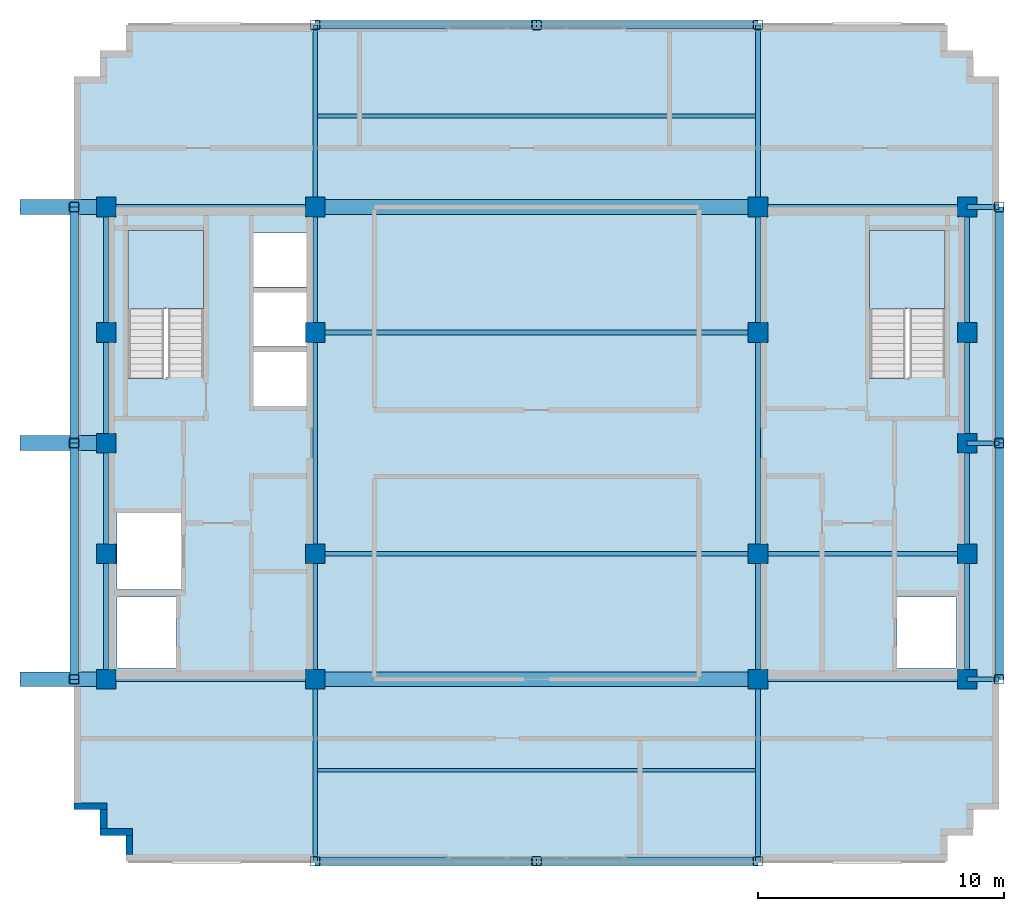
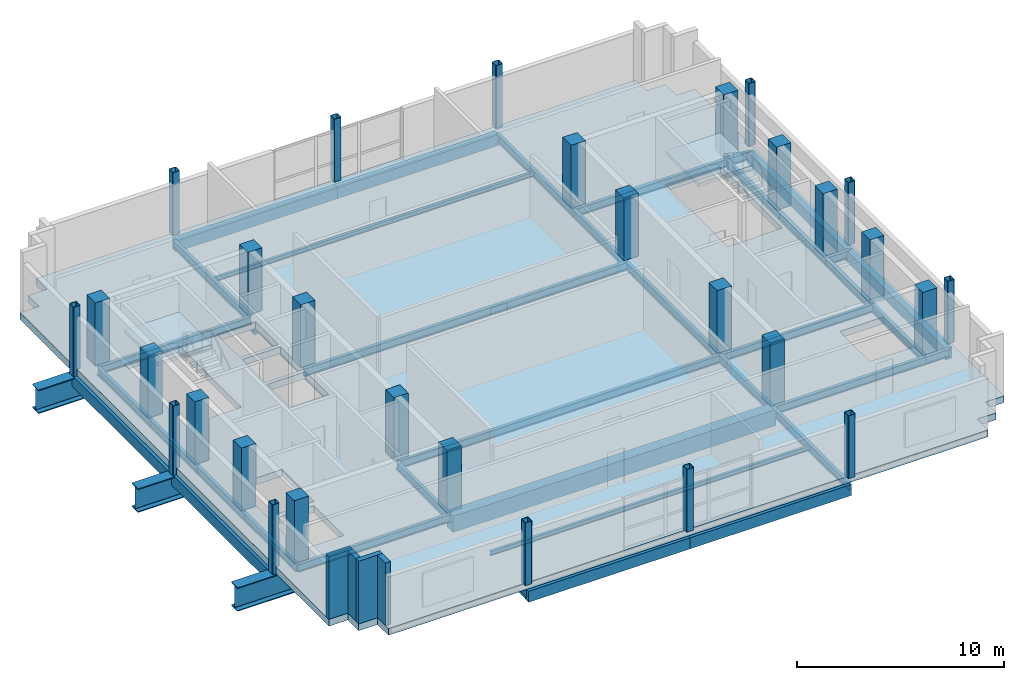
# One storey, part 1 of 9: 43 beams, 30 columns, 4 walls, 3 slabs, 2 elements without a shape of their own.
"""IFC4 building model written with IfcOpenShell, lengths in metres."""

from ifc_helpers import new_model, si_unit, direction, frame, frame_2d, origin, origin_2d, place, context, subcontext, project, spatial, polyline, rectangle, hollow_rectangle, i_section, outline, extrude, material, layer, layer_set, material_profile, profile_set, type_object, element, aggregate, save


model = new_model("IFC4")

# Units and contexts
model_context = context("Model", 3, precision=1e-05, world=origin(), true_north=direction((0.0, 1.0)))
body_context = subcontext(model_context, "Body", "Model", "MODEL_VIEW")
ifc_project = project(units=[si_unit("LENGTHUNIT", "METRE"), si_unit("AREAUNIT", "SQUARE_METRE"), si_unit("VOLUMEUNIT", "CUBIC_METRE"), si_unit("PLANEANGLEUNIT", "RADIAN"), si_unit("MASSUNIT", "GRAM", prefix="KILO")], contexts=[model_context])

# Site, building, storey
site_placement = place(None, origin())
site = spatial("IfcSite", under=ifc_project, at=site_placement, CompositionType="ELEMENT")
building_placement = place(site_placement, origin())
building = spatial("IfcBuilding", under=site, at=building_placement, Name="Nuvemarco Arch Tower", CompositionType="ELEMENT")
storey_placement = place(building_placement, frame((0.0, 0.0, 287.14990234375)))
storey = spatial("IfcBuildingStorey", under=building, at=storey_placement, Name="L76", CompositionType="ELEMENT", Elevation=287.14990234375)

# Columns
ifc_material_1 = material(Name="Concrete C50/60", Category="concrete")
ifc_material_profile_1 = material_profile(ifc_material_1, rectangle(XDim=0.800048828125, YDim=0.800048828125, at=origin_2d()), Name="RC-COL-800x800")
ifc_profile_set_1 = profile_set([ifc_material_profile_1], Name="Concrete C50/60")
column_type_1 = type_object("IfcColumnType", Name="COL-CORE-800", PredefinedType="COLUMN", material=ifc_profile_set_1)
for number, where, z_axis, x_axis, name in (
    (1, (-17.5, -9.60009765625, 0.0), (0.0, 0.0, 1.0), (1.0, 0.0, 0.0), "L76 column CC_-17.5_-9.6"),
    (2, (-17.5, -4.5, 0.0), (0.0, 0.0, 1.0), (1.0, 0.0, 0.0), "L76 column CC_-17.5_-4.5"),
    (3, (-17.5, 4.5, 0.0), (0.0, 0.0, 1.0), (1.0, 0.0, 0.0), "L76 column CC_-17.5_+4.5"),
    (4, (-17.5, 9.60009765625, 0.0), (0.0, 0.0, 1.0), (1.0, 0.0, 0.0), "L76 column CC_-17.5_+9.6"),
    (5, (-9.0, -9.60009765625, 0.0), (0.0, 0.0, 1.0), (1.0, 0.0, 0.0), "L76 column CC_-9.0_-9.6"),
    (6, (-9.0, -4.5, 0.0), (0.0, 0.0, 1.0), (1.0, 0.0, 0.0), "L76 column CC_-9.0_-4.5"),
    (7, (-9.0, 4.5, 0.0), (0.0, 0.0, 1.0), (1.0, 0.0, 0.0), "L76 column CC_-9.0_+4.5"),
    (8, (-9.0, 9.60009765625, 0.0), (0.0, 0.0, 1.0), (1.0, 0.0, 0.0), "L76 column CC_-9.0_+9.6"),
    (9, (9.0, -9.60009765625, 0.0), (0.0, 0.0, 1.0), (1.0, 0.0, 0.0), "L76 column CC_+9.0_-9.6"),
    (10, (9.0, -4.5, 0.0), (0.0, 0.0, 1.0), (1.0, 0.0, 0.0), "L76 column CC_+9.0_-4.5"),
    (11, (9.0, 4.5, 0.0), (0.0, 0.0, 1.0), (1.0, 0.0, 0.0), "L76 column CC_+9.0_+4.5"),
    (12, (9.0, 9.60009765625, 0.0), (0.0, 0.0, 1.0), (1.0, 0.0, 0.0), "L76 column CC_+9.0_+9.6"),
    (13, (17.5, -9.60009765625, 0.0), (0.0, 0.0, 1.0), (1.0, 0.0, 0.0), "L76 column CC_+17.5_-9.6"),
    (14, (17.5, -4.5, 0.0), (0.0, 0.0, 1.0), (1.0, 0.0, 0.0), "L76 column CC_+17.5_-4.5"),
    (15, (17.5, 4.5, 0.0), (0.0, 0.0, 1.0), (1.0, 0.0, 0.0), "L76 column CC_+17.5_+4.5"),
    (16, (17.5, 9.60009765625, 0.0), (0.0, 0.0, 1.0), (1.0, 0.0, 0.0), "L76 column CC_+17.5_+9.6"),
    (17, (-17.5, 0.0, 0.0), (0.0, 0.0, 1.0), (1.0, 0.0, 0.0), "L76 column CC_-17.5_+0.0"),
    (18, (17.5, 0.0, 0.0), (0.0, 0.0, 1.0), (1.0, 0.0, 0.0), "L76 column CC_+17.5_+0.0"),
):
    element("IfcColumn", number, at=place(storey_placement, frame(where, z_axis=z_axis, x_axis=x_axis)), inside=storey, type_object=column_type_1, Name=name, PredefinedType="COLUMN", context=body_context, shape_type="SweptSolid", body=[
        extrude(rectangle(XDim=0.800048828125, YDim=0.800048828125, at=origin_2d()), origin(), (0.0, 0.0, 1.0), 3.7001953125),
    ])
ifc_material_2 = material(Name="Steel S355", Category="steel")
ifc_material_profile_2 = material_profile(ifc_material_2, hollow_rectangle(XDim=0.39990234375, YDim=0.39990234375, WallThickness=0.02490234375, InnerFilletRadius=0.02490234375, OuterFilletRadius=0.050048828125, at=origin_2d()), Name="SHS400x400x25")
ifc_profile_set_2 = profile_set([ifc_material_profile_2], Name="Steel S355")
column_type_2 = type_object("IfcColumnType", Name="COL-EXO-400", PredefinedType="COLUMN", material=ifc_profile_set_2)
for number, where, z_axis, x_axis, name in (
    (19, (-18.800048828125, -9.60009765625, -0.39990234375), (0.0, 0.0, 1.0), (1.0, 0.0, 0.0), "L76 column CX_-18.8_-9.6"),
    (20, (-18.800048828125, 0.0, -0.39990234375), (0.0, 0.0, 1.0), (1.0, 0.0, 0.0), "L76 column CX_-18.8_+0.0"),
    (21, (-18.800048828125, 9.60009765625, -0.39990234375), (0.0, 0.0, 1.0), (1.0, 0.0, 0.0), "L76 column CX_-18.8_+9.6"),
):
    element("IfcColumn", number, at=place(storey_placement, frame(where, z_axis=z_axis, x_axis=x_axis)), inside=storey, type_object=column_type_2, Name=name, PredefinedType="COLUMN", context=body_context, shape_type="SweptSolid", body=[
        extrude(hollow_rectangle(XDim=0.39990234375, YDim=0.39990234375, WallThickness=0.02490234375, InnerFilletRadius=0.02490234375, OuterFilletRadius=0.050048828125, at=origin_2d()), origin(), (0.0, 0.0, 1.0), 4.10009765625),
    ])
for number, where, z_axis, x_axis, name in (
    (22, (18.800048828125, -9.60009765625, 0.0), (0.0, 0.0, 1.0), (1.0, 0.0, 0.0), "L76 column CX_+18.8_-9.6"),
    (23, (18.800048828125, 0.0, 0.0), (0.0, 0.0, 1.0), (1.0, 0.0, 0.0), "L76 column CX_+18.8_+0.0"),
    (24, (18.800048828125, 9.60009765625, 0.0), (0.0, 0.0, 1.0), (1.0, 0.0, 0.0), "L76 column CX_+18.8_+9.6"),
    (25, (-9.0, -17.0, 0.0), (0.0, 0.0, 1.0), (1.0, 0.0, 0.0), "L76 column CY_-9.0_-17.0"),
    (26, (0.0, -17.0, 0.0), (0.0, 0.0, 1.0), (1.0, 0.0, 0.0), "L76 column CY_+0.0_-17.0"),
    (27, (9.0, -17.0, 0.0), (0.0, 0.0, 1.0), (1.0, 0.0, 0.0), "L76 column CY_+9.0_-17.0"),
    (28, (-9.0, 17.0, 0.0), (0.0, 0.0, 1.0), (1.0, 0.0, 0.0), "L76 column CY_-9.0_+17.0"),
    (29, (0.0, 17.0, 0.0), (0.0, 0.0, 1.0), (1.0, 0.0, 0.0), "L76 column CY_+0.0_+17.0"),
    (30, (9.0, 17.0, 0.0), (0.0, 0.0, 1.0), (1.0, 0.0, 0.0), "L76 column CY_+9.0_+17.0"),
):
    element("IfcColumn", number, at=place(storey_placement, frame(where, z_axis=z_axis, x_axis=x_axis)), inside=storey, type_object=column_type_2, Name=name, PredefinedType="COLUMN", context=body_context, shape_type="SweptSolid", body=[
        extrude(hollow_rectangle(XDim=0.39990234375, YDim=0.39990234375, WallThickness=0.02490234375, InnerFilletRadius=0.02490234375, OuterFilletRadius=0.050048828125, at=origin_2d()), origin(), (0.0, 0.0, 1.0), 3.7001953125),
    ])

# Beams
ifc_material_3 = material(Name="Concrete C60/75", Category="concrete")
ifc_material_profile_3 = material_profile(ifc_material_3, rectangle(XDim=0.60009765625, YDim=0.949951171875, at=origin_2d()), Name="RC-BM-600x950")
ifc_profile_set_3 = profile_set([ifc_material_profile_3], Name="Concrete C60/75")
beam_type_1 = type_object("IfcBeamType", Name="BM-COUP-RC", PredefinedType="LINTEL", material=ifc_profile_set_3)
for number, where, z_axis, x_axis, name in (
    (31, (-9.0, -9.60009765625, -0.875), (1.0, 0.0, 0.0), (0.0, 1.0, 0.0), "L76 structural beam BGEW_L76_0_-9.6_-9.0"),
    (32, (-9.0, 9.60009765625, -0.875), (1.0, 0.0, 0.0), (0.0, 1.0, 0.0), "L76 structural beam BGEW_L76_0_+9.6_-9.0"),
):
    element("IfcBeam", number, at=place(storey_placement, frame(where, z_axis=z_axis, x_axis=x_axis)), inside=storey, type_object=beam_type_1, Name=name, PredefinedType="LINTEL", context=body_context, shape_type="SweptSolid", body=[
        extrude(rectangle(XDim=0.60009765625, YDim=0.949951171875, at=origin_2d()), origin(), (0.0, 0.0, 1.0), 18.0),
    ])
ifc_material_profile_4 = material_profile(ifc_material_2, i_section(OverallWidth=0.19189453125, OverallDepth=0.462890625, WebThickness=0.010498046875, FlangeThickness=0.017578125, FilletRadius=0.014892578125, at=origin_2d()), Name="W460x89")
ifc_profile_set_4 = profile_set([ifc_material_profile_4], Name="Steel S355")
beam_type_2 = type_object("IfcBeamType", Name="BM-GIRD-460", PredefinedType="BEAM", material=ifc_profile_set_4)
beam_1_placement = place(storey_placement, frame((-17.5, -9.60009765625, -0.63134765625), z_axis=(0.0, 1.0, 0.0), x_axis=(-1.0, 0.0, 0.0)))
element("IfcBeam", 33, at=beam_1_placement, inside=storey, type_object=beam_type_2, Name="L76 structural beam BGNS_L76_0_-17.5_-9.6", PredefinedType="BEAM", context=body_context, shape_type="SweptSolid", body=[
    extrude(i_section(OverallWidth=0.19189453125, OverallDepth=0.462890625, WebThickness=0.010498046875, FlangeThickness=0.017578125, FilletRadius=0.014892578125, at=origin_2d()), origin(), (0.0, 0.0, 1.0), 5.10009765625),
])
for number, where, z_axis, x_axis, name in (
    (34, (-17.5, -4.5, -0.63134765625), (0.0, 1.0, 0.0), (-1.0, 0.0, 0.0), "L76 structural beam BGNS_L76_0_-17.5_-4.5"),
    (35, (-17.5, 0.0, -0.63134765625), (0.0, 1.0, 0.0), (-1.0, 0.0, 0.0), "L76 structural beam BGNS_L76_0_-17.5_+0.0"),
):
    element("IfcBeam", number, at=place(storey_placement, frame(where, z_axis=z_axis, x_axis=x_axis)), inside=storey, type_object=beam_type_2, Name=name, PredefinedType="BEAM", context=body_context, shape_type="SweptSolid", body=[
        extrude(i_section(OverallWidth=0.19189453125, OverallDepth=0.462890625, WebThickness=0.010498046875, FlangeThickness=0.017578125, FilletRadius=0.014892578125, at=origin_2d()), origin(), (0.0, 0.0, 1.0), 4.5),
    ])
beam_2_placement = place(storey_placement, frame((-17.5, 4.5, -0.63134765625), z_axis=(0.0, 1.0, 0.0), x_axis=(-1.0, 0.0, 0.0)))
element("IfcBeam", 36, at=beam_2_placement, inside=storey, type_object=beam_type_2, Name="L76 structural beam BGNS_L76_0_-17.5_+4.5", PredefinedType="BEAM", context=body_context, shape_type="SweptSolid", body=[
    extrude(i_section(OverallWidth=0.19189453125, OverallDepth=0.462890625, WebThickness=0.010498046875, FlangeThickness=0.017578125, FilletRadius=0.014892578125, at=origin_2d()), origin(), (0.0, 0.0, 1.0), 5.10009765625),
])
beam_3_placement = place(storey_placement, frame((-9.0, -17.0, -0.63134765625), z_axis=(0.0, 1.0, 0.0), x_axis=(-1.0, 0.0, 0.0)))
element("IfcBeam", 37, at=beam_3_placement, inside=storey, type_object=beam_type_2, Name="L76 structural beam BGNS_L76_0_-9.0_-17.0", PredefinedType="BEAM", context=body_context, shape_type="SweptSolid", body=[
    extrude(i_section(OverallWidth=0.19189453125, OverallDepth=0.462890625, WebThickness=0.010498046875, FlangeThickness=0.017578125, FilletRadius=0.014892578125, at=origin_2d()), origin(), (0.0, 0.0, 1.0), 7.39990234375),
])
beam_4_placement = place(storey_placement, frame((-9.0, -9.60009765625, -0.63134765625), z_axis=(0.0, 1.0, 0.0), x_axis=(-1.0, 0.0, 0.0)))
element("IfcBeam", 38, at=beam_4_placement, inside=storey, type_object=beam_type_2, Name="L76 structural beam BGNS_L76_0_-9.0_-9.6", PredefinedType="BEAM", context=body_context, shape_type="SweptSolid", body=[
    extrude(i_section(OverallWidth=0.19189453125, OverallDepth=0.462890625, WebThickness=0.010498046875, FlangeThickness=0.017578125, FilletRadius=0.014892578125, at=origin_2d()), origin(), (0.0, 0.0, 1.0), 5.10009765625),
])
beam_5_placement = place(storey_placement, frame((-9.0, -4.5, -0.63134765625), z_axis=(0.0, 1.0, 0.0), x_axis=(-1.0, 0.0, 0.0)))
element("IfcBeam", 39, at=beam_5_placement, inside=storey, type_object=beam_type_2, Name="L76 structural beam BGNS_L76_0_-9.0_-4.5", PredefinedType="BEAM", context=body_context, shape_type="SweptSolid", body=[
    extrude(i_section(OverallWidth=0.19189453125, OverallDepth=0.462890625, WebThickness=0.010498046875, FlangeThickness=0.017578125, FilletRadius=0.014892578125, at=origin_2d()), origin(), (0.0, 0.0, 1.0), 9.0),
])
beam_6_placement = place(storey_placement, frame((-9.0, 4.5, -0.63134765625), z_axis=(0.0, 1.0, 0.0), x_axis=(-1.0, 0.0, 0.0)))
element("IfcBeam", 40, at=beam_6_placement, inside=storey, type_object=beam_type_2, Name="L76 structural beam BGNS_L76_0_-9.0_+4.5", PredefinedType="BEAM", context=body_context, shape_type="SweptSolid", body=[
    extrude(i_section(OverallWidth=0.19189453125, OverallDepth=0.462890625, WebThickness=0.010498046875, FlangeThickness=0.017578125, FilletRadius=0.014892578125, at=origin_2d()), origin(), (0.0, 0.0, 1.0), 5.10009765625),
])
for number, where, z_axis, x_axis, name in (
    (41, (-9.0, 9.60009765625, -0.63134765625), (0.0, 1.0, 0.0), (-1.0, 0.0, 0.0), "L76 structural beam BGNS_L76_0_-9.0_+9.6"),
    (42, (9.0, -17.0, -0.63134765625), (0.0, 1.0, 0.0), (-1.0, 0.0, 0.0), "L76 structural beam BGNS_L76_0_+9.0_-17.0"),
):
    element("IfcBeam", number, at=place(storey_placement, frame(where, z_axis=z_axis, x_axis=x_axis)), inside=storey, type_object=beam_type_2, Name=name, PredefinedType="BEAM", context=body_context, shape_type="SweptSolid", body=[
        extrude(i_section(OverallWidth=0.19189453125, OverallDepth=0.462890625, WebThickness=0.010498046875, FlangeThickness=0.017578125, FilletRadius=0.014892578125, at=origin_2d()), origin(), (0.0, 0.0, 1.0), 7.39990234375),
    ])
beam_7_placement = place(storey_placement, frame((9.0, -9.60009765625, -0.63134765625), z_axis=(0.0, 1.0, 0.0), x_axis=(-1.0, 0.0, 0.0)))
element("IfcBeam", 43, at=beam_7_placement, inside=storey, type_object=beam_type_2, Name="L76 structural beam BGNS_L76_0_+9.0_-9.6", PredefinedType="BEAM", context=body_context, shape_type="SweptSolid", body=[
    extrude(i_section(OverallWidth=0.19189453125, OverallDepth=0.462890625, WebThickness=0.010498046875, FlangeThickness=0.017578125, FilletRadius=0.014892578125, at=origin_2d()), origin(), (0.0, 0.0, 1.0), 5.10009765625),
])
beam_8_placement = place(storey_placement, frame((9.0, -4.5, -0.63134765625), z_axis=(0.0, 1.0, 0.0), x_axis=(-1.0, 0.0, 0.0)))
element("IfcBeam", 44, at=beam_8_placement, inside=storey, type_object=beam_type_2, Name="L76 structural beam BGNS_L76_0_+9.0_-4.5", PredefinedType="BEAM", context=body_context, shape_type="SweptSolid", body=[
    extrude(i_section(OverallWidth=0.19189453125, OverallDepth=0.462890625, WebThickness=0.010498046875, FlangeThickness=0.017578125, FilletRadius=0.014892578125, at=origin_2d()), origin(), (0.0, 0.0, 1.0), 9.0),
])
beam_9_placement = place(storey_placement, frame((9.0, 4.5, -0.63134765625), z_axis=(0.0, 1.0, 0.0), x_axis=(-1.0, 0.0, 0.0)))
element("IfcBeam", 45, at=beam_9_placement, inside=storey, type_object=beam_type_2, Name="L76 structural beam BGNS_L76_0_+9.0_+4.5", PredefinedType="BEAM", context=body_context, shape_type="SweptSolid", body=[
    extrude(i_section(OverallWidth=0.19189453125, OverallDepth=0.462890625, WebThickness=0.010498046875, FlangeThickness=0.017578125, FilletRadius=0.014892578125, at=origin_2d()), origin(), (0.0, 0.0, 1.0), 5.10009765625),
])
beam_10_placement = place(storey_placement, frame((9.0, 9.60009765625, -0.63134765625), z_axis=(0.0, 1.0, 0.0), x_axis=(-1.0, 0.0, 0.0)))
element("IfcBeam", 46, at=beam_10_placement, inside=storey, type_object=beam_type_2, Name="L76 structural beam BGNS_L76_0_+9.0_+9.6", PredefinedType="BEAM", context=body_context, shape_type="SweptSolid", body=[
    extrude(i_section(OverallWidth=0.19189453125, OverallDepth=0.462890625, WebThickness=0.010498046875, FlangeThickness=0.017578125, FilletRadius=0.014892578125, at=origin_2d()), origin(), (0.0, 0.0, 1.0), 7.39990234375),
])
beam_11_placement = place(storey_placement, frame((17.5, -9.60009765625, -0.63134765625), z_axis=(0.0, 1.0, 0.0), x_axis=(-1.0, 0.0, 0.0)))
element("IfcBeam", 47, at=beam_11_placement, inside=storey, type_object=beam_type_2, Name="L76 structural beam BGNS_L76_0_+17.5_-9.6", PredefinedType="BEAM", context=body_context, shape_type="SweptSolid", body=[
    extrude(i_section(OverallWidth=0.19189453125, OverallDepth=0.462890625, WebThickness=0.010498046875, FlangeThickness=0.017578125, FilletRadius=0.014892578125, at=origin_2d()), origin(), (0.0, 0.0, 1.0), 5.10009765625),
])
for number, where, z_axis, x_axis, name in (
    (48, (17.5, -4.5, -0.63134765625), (0.0, 1.0, 0.0), (-1.0, 0.0, 0.0), "L76 structural beam BGNS_L76_0_+17.5_-4.5"),
    (49, (17.5, 0.0, -0.63134765625), (0.0, 1.0, 0.0), (-1.0, 0.0, 0.0), "L76 structural beam BGNS_L76_0_+17.5_+0.0"),
):
    element("IfcBeam", number, at=place(storey_placement, frame(where, z_axis=z_axis, x_axis=x_axis)), inside=storey, type_object=beam_type_2, Name=name, PredefinedType="BEAM", context=body_context, shape_type="SweptSolid", body=[
        extrude(i_section(OverallWidth=0.19189453125, OverallDepth=0.462890625, WebThickness=0.010498046875, FlangeThickness=0.017578125, FilletRadius=0.014892578125, at=origin_2d()), origin(), (0.0, 0.0, 1.0), 4.5),
    ])
beam_12_placement = place(storey_placement, frame((17.5, 4.5, -0.63134765625), z_axis=(0.0, 1.0, 0.0), x_axis=(-1.0, 0.0, 0.0)))
element("IfcBeam", 50, at=beam_12_placement, inside=storey, type_object=beam_type_2, Name="L76 structural beam BGNS_L76_0_+17.5_+4.5", PredefinedType="BEAM", context=body_context, shape_type="SweptSolid", body=[
    extrude(i_section(OverallWidth=0.19189453125, OverallDepth=0.462890625, WebThickness=0.010498046875, FlangeThickness=0.017578125, FilletRadius=0.014892578125, at=origin_2d()), origin(), (0.0, 0.0, 1.0), 5.10009765625),
])
for number, where, z_axis, x_axis, name in (
    (51, (-17.5, -9.60009765625, -0.63134765625), (1.0, 0.0, 0.0), (0.0, 1.0, 0.0), "L76 structural beam BGEW_L76_0_-9.6_-17.5"),
    (52, (9.0, -9.60009765625, -0.63134765625), (1.0, 0.0, 0.0), (0.0, 1.0, 0.0), "L76 structural beam BGEW_L76_0_-9.6_+9.0"),
):
    element("IfcBeam", number, at=place(storey_placement, frame(where, z_axis=z_axis, x_axis=x_axis)), inside=storey, type_object=beam_type_2, Name=name, PredefinedType="BEAM", context=body_context, shape_type="SweptSolid", body=[
        extrude(i_section(OverallWidth=0.19189453125, OverallDepth=0.462890625, WebThickness=0.010498046875, FlangeThickness=0.017578125, FilletRadius=0.014892578125, at=origin_2d()), origin(), (0.0, 0.0, 1.0), 8.5),
    ])
beam_13_placement = place(storey_placement, frame((17.5, -9.60009765625, -0.63134765625), z_axis=(1.0, 0.0, 0.0), x_axis=(0.0, 1.0, 0.0)))
element("IfcBeam", 53, at=beam_13_placement, inside=storey, type_object=beam_type_2, Name="L76 structural beam BGEW_L76_0_-9.6_+17.5", PredefinedType="BEAM", context=body_context, shape_type="SweptSolid", body=[
    extrude(i_section(OverallWidth=0.19189453125, OverallDepth=0.462890625, WebThickness=0.010498046875, FlangeThickness=0.017578125, FilletRadius=0.014892578125, at=origin_2d()), origin(), (0.0, 0.0, 1.0), 1.300048828125),
])
beam_14_placement = place(storey_placement, frame((-9.0, -4.5, -0.63134765625), z_axis=(1.0, 0.0, 0.0), x_axis=(0.0, 1.0, 0.0)))
element("IfcBeam", 54, at=beam_14_placement, inside=storey, type_object=beam_type_2, Name="L76 structural beam BGEW_L76_0_-4.5_-9.0", PredefinedType="BEAM", context=body_context, shape_type="SweptSolid", body=[
    extrude(i_section(OverallWidth=0.19189453125, OverallDepth=0.462890625, WebThickness=0.010498046875, FlangeThickness=0.017578125, FilletRadius=0.014892578125, at=origin_2d()), origin(), (0.0, 0.0, 1.0), 18.0),
])
beam_15_placement = place(storey_placement, frame((9.0, -4.5, -0.63134765625), z_axis=(1.0, 0.0, 0.0), x_axis=(0.0, 1.0, 0.0)))
element("IfcBeam", 55, at=beam_15_placement, inside=storey, type_object=beam_type_2, Name="L76 structural beam BGEW_L76_0_-4.5_+9.0", PredefinedType="BEAM", context=body_context, shape_type="SweptSolid", body=[
    extrude(i_section(OverallWidth=0.19189453125, OverallDepth=0.462890625, WebThickness=0.010498046875, FlangeThickness=0.017578125, FilletRadius=0.014892578125, at=origin_2d()), origin(), (0.0, 0.0, 1.0), 8.5),
])
beam_16_placement = place(storey_placement, frame((17.5, 0.0, -0.63134765625), z_axis=(1.0, 0.0, 0.0), x_axis=(0.0, 1.0, 0.0)))
element("IfcBeam", 56, at=beam_16_placement, inside=storey, type_object=beam_type_2, Name="L76 structural beam BGEW_L76_0_+0.0_+17.5", PredefinedType="BEAM", context=body_context, shape_type="SweptSolid", body=[
    extrude(i_section(OverallWidth=0.19189453125, OverallDepth=0.462890625, WebThickness=0.010498046875, FlangeThickness=0.017578125, FilletRadius=0.014892578125, at=origin_2d()), origin(), (0.0, 0.0, 1.0), 1.300048828125),
])
beam_17_placement = place(storey_placement, frame((-9.0, 4.5, -0.63134765625), z_axis=(1.0, 0.0, 0.0), x_axis=(0.0, 1.0, 0.0)))
element("IfcBeam", 57, at=beam_17_placement, inside=storey, type_object=beam_type_2, Name="L76 structural beam BGEW_L76_0_+4.5_-9.0", PredefinedType="BEAM", context=body_context, shape_type="SweptSolid", body=[
    extrude(i_section(OverallWidth=0.19189453125, OverallDepth=0.462890625, WebThickness=0.010498046875, FlangeThickness=0.017578125, FilletRadius=0.014892578125, at=origin_2d()), origin(), (0.0, 0.0, 1.0), 18.0),
])
for number, where, z_axis, x_axis, name in (
    (58, (-17.5, 9.60009765625, -0.63134765625), (1.0, 0.0, 0.0), (0.0, 1.0, 0.0), "L76 structural beam BGEW_L76_0_+9.6_-17.5"),
    (59, (9.0, 9.60009765625, -0.63134765625), (1.0, 0.0, 0.0), (0.0, 1.0, 0.0), "L76 structural beam BGEW_L76_0_+9.6_+9.0"),
):
    element("IfcBeam", number, at=place(storey_placement, frame(where, z_axis=z_axis, x_axis=x_axis)), inside=storey, type_object=beam_type_2, Name=name, PredefinedType="BEAM", context=body_context, shape_type="SweptSolid", body=[
        extrude(i_section(OverallWidth=0.19189453125, OverallDepth=0.462890625, WebThickness=0.010498046875, FlangeThickness=0.017578125, FilletRadius=0.014892578125, at=origin_2d()), origin(), (0.0, 0.0, 1.0), 8.5),
    ])
beam_18_placement = place(storey_placement, frame((17.5, 9.60009765625, -0.63134765625), z_axis=(1.0, 0.0, 0.0), x_axis=(0.0, 1.0, 0.0)))
element("IfcBeam", 60, at=beam_18_placement, inside=storey, type_object=beam_type_2, Name="L76 structural beam BGEW_L76_0_+9.6_+17.5", PredefinedType="BEAM", context=body_context, shape_type="SweptSolid", body=[
    extrude(i_section(OverallWidth=0.19189453125, OverallDepth=0.462890625, WebThickness=0.010498046875, FlangeThickness=0.017578125, FilletRadius=0.014892578125, at=origin_2d()), origin(), (0.0, 0.0, 1.0), 1.300048828125),
])
ifc_material_profile_5 = material_profile(ifc_material_2, i_section(OverallWidth=0.14794921875, OverallDepth=0.26611328125, WebThickness=0.007568359375, FlangeThickness=0.012939453125, FilletRadius=0.010009765625, at=origin_2d()), Name="W250x44.8")
ifc_profile_set_5 = profile_set([ifc_material_profile_5], Name="Steel S355")
beam_type_3 = type_object("IfcBeamType", Name="BM-JOIST-250", PredefinedType="JOIST", material=ifc_profile_set_5)
for number, where, z_axis, x_axis, name in (
    (61, (-8.904052734375, -13.300048828125, -0.532958984375), (1.0, 0.0, 0.0), (0.0, 1.0, 0.0), "L76 structural beam BJ_L76_0_-13.3_-9.0"),
    (62, (-8.904052734375, 13.300048828125, -0.532958984375), (1.0, 0.0, 0.0), (0.0, 1.0, 0.0), "L76 structural beam BJ_L76_0_+13.3_-9.0"),
):
    element("IfcBeam", number, at=place(storey_placement, frame(where, z_axis=z_axis, x_axis=x_axis)), inside=storey, type_object=beam_type_3, Name=name, PredefinedType="JOIST", context=body_context, shape_type="SweptSolid", body=[
        extrude(i_section(OverallWidth=0.14794921875, OverallDepth=0.26611328125, WebThickness=0.007568359375, FlangeThickness=0.012939453125, FilletRadius=0.010009765625, at=origin_2d()), origin(), (0.0, 0.0, 1.0), 17.80810546875),
    ])
ifc_material_4 = material(Name="Precast concrete C45/55", Category="concrete")
ifc_material_profile_6 = material_profile(ifc_material_4, rectangle(XDim=0.35009765625, YDim=0.64990234375, at=origin_2d()), Name="PC-SP-350x650")
ifc_profile_set_6 = profile_set([ifc_material_profile_6], Name="Precast concrete C45/55")
beam_type_4 = type_object("IfcBeamType", Name="BM-SPAN-RC", PredefinedType="SPANDREL", material=ifc_profile_set_6)
for number, where, z_axis, x_axis, name in (
    (63, (-18.800048828125, -9.60009765625, -0.724853515625), (0.0, 1.0, 0.0), (-1.0, 0.0, 0.0), "L76 structural beam BGNS_L76_0_-18.8_-9.6"),
    (64, (-18.800048828125, 0.0, -0.724853515625), (0.0, 1.0, 0.0), (-1.0, 0.0, 0.0), "L76 structural beam BGNS_L76_0_-18.8_+0.0"),
    (65, (18.800048828125, -9.60009765625, -0.724853515625), (0.0, 1.0, 0.0), (-1.0, 0.0, 0.0), "L76 structural beam BGNS_L76_0_+18.8_-9.6"),
    (66, (18.800048828125, 0.0, -0.724853515625), (0.0, 1.0, 0.0), (-1.0, 0.0, 0.0), "L76 structural beam BGNS_L76_0_+18.8_+0.0"),
):
    element("IfcBeam", number, at=place(storey_placement, frame(where, z_axis=z_axis, x_axis=x_axis)), inside=storey, type_object=beam_type_4, Name=name, PredefinedType="SPANDREL", context=body_context, shape_type="SweptSolid", body=[
        extrude(rectangle(XDim=0.35009765625, YDim=0.64990234375, at=origin_2d()), origin(), (0.0, 0.0, 1.0), 9.60009765625),
    ])
for number, where, z_axis, x_axis, name in (
    (67, (-9.0, -17.0, -0.724853515625), (1.0, 0.0, 0.0), (0.0, 1.0, 0.0), "L76 structural beam BGEW_L76_0_-17.0_-9.0"),
    (68, (0.0, -17.0, -0.724853515625), (1.0, 0.0, 0.0), (0.0, 1.0, 0.0), "L76 structural beam BGEW_L76_0_-17.0_+0.0"),
    (69, (-9.0, 17.0, -0.724853515625), (1.0, 0.0, 0.0), (0.0, 1.0, 0.0), "L76 structural beam BGEW_L76_0_+17.0_-9.0"),
    (70, (0.0, 17.0, -0.724853515625), (1.0, 0.0, 0.0), (0.0, 1.0, 0.0), "L76 structural beam BGEW_L76_0_+17.0_+0.0"),
):
    element("IfcBeam", number, at=place(storey_placement, frame(where, z_axis=z_axis, x_axis=x_axis)), inside=storey, type_object=beam_type_4, Name=name, PredefinedType="SPANDREL", context=body_context, shape_type="SweptSolid", body=[
        extrude(rectangle(XDim=0.35009765625, YDim=0.64990234375, at=origin_2d()), origin(), (0.0, 0.0, 1.0), 9.0),
    ])
ifc_material_5 = material(Name="Steel S460", Category="steel")
ifc_material_profile_7 = material_profile(ifc_material_5, i_section(OverallWidth=0.60009765625, OverallDepth=1.39990234375, WebThickness=0.031982421875, FlangeThickness=0.054931640625, FilletRadius=0.02001953125, at=origin_2d()), Name="PG1400x600")
ifc_profile_set_7 = profile_set([ifc_material_profile_7], Name="Steel S460")
beam_type_5 = type_object("IfcBeamType", Name="BM-TG-SETBACK", PredefinedType="BEAM", material=ifc_profile_set_7)
for number, where, z_axis, x_axis, name in (
    (71, (-21.0, -9.60009765625, -1.099853515625), (1.0, 0.0, 0.0), (0.0, 1.0, 0.0), "L76 structural beam TGS_L76_W_-9.6"),
    (72, (-21.0, 0.0, -1.099853515625), (1.0, 0.0, 0.0), (0.0, 1.0, 0.0), "L76 structural beam TGS_L76_W_+0.0"),
    (73, (-21.0, 9.60009765625, -1.099853515625), (1.0, 0.0, 0.0), (0.0, 1.0, 0.0), "L76 structural beam TGS_L76_W_+9.6"),
):
    element("IfcBeam", number, at=place(storey_placement, frame(where, z_axis=z_axis, x_axis=x_axis)), inside=storey, type_object=beam_type_5, Name=name, PredefinedType="BEAM", context=body_context, shape_type="SweptSolid", body=[
        extrude(i_section(OverallWidth=0.60009765625, OverallDepth=1.39990234375, WebThickness=0.031982421875, FlangeThickness=0.054931640625, FilletRadius=0.02001953125, at=origin_2d()), origin(), (0.0, 0.0, 1.0), 3.5),
    ])

# Slab
ifc_layer_1 = layer(ifc_material_3, 0.39990234375, Name="SL-FLR-400")
ifc_layer_set_1 = layer_set([ifc_layer_1], Name="Concrete C60/75")
slab_type_1 = type_object("IfcSlabType", Name="SL-FLR-400", PredefinedType="FLOOR", material=ifc_layer_set_1)
slab_1_placement = place(storey_placement, frame((0.0, 0.0, -0.39990234375)))
element("IfcSlab", 74, at=slab_1_placement, inside=storey, type_object=slab_type_1, Name="L76 structural floor slab", PredefinedType="FLOOR", context=body_context, shape_type="SweptSolid", body=[
    extrude(outline(polyline([(-16.699951171875, -17.0), (16.699951171875, -17.0), (16.699951171875, -15.949951171875), (17.75, -15.949951171875), (17.75, -14.89990234375), (18.800048828125, -14.89990234375), (18.800048828125, 14.89990234375), (17.75, 14.89990234375), (17.75, 15.949951171875), (16.699951171875, 15.949951171875), (16.699951171875, 17.0), (-16.699951171875, 17.0), (-16.699951171875, 15.949951171875), (-17.75, 15.949951171875), (-17.75, 14.89990234375), (-18.800048828125, 14.89990234375), (-18.800048828125, -14.89990234375), (-17.75, -14.89990234375), (-17.75, -15.949951171875), (-16.699951171875, -15.949951171875), (-16.699951171875, -17.0)]), holes=[polyline([(-13.5400390625, 2.669921875), (-13.5400390625, 8.64990234375), (-16.60009765625, 8.64990234375), (-16.60009765625, 2.630615234375), (-15.070068359375, 2.630615234375), (-15.070068359375, 2.669921875), (-13.5400390625, 2.669921875)]), polyline([(16.60009765625, 2.669921875), (16.60009765625, 8.64990234375), (13.5400390625, 8.64990234375), (13.5400390625, 2.630615234375), (15.070068359375, 2.630615234375), (15.070068359375, 2.669921875), (16.60009765625, 2.669921875)]), polyline([(-17.050048828125, -9.14990234375), (-14.64990234375, -9.14990234375), (-14.64990234375, -6.25), (-17.050048828125, -6.25), (-17.050048828125, -9.14990234375)]), polyline([(-17.050048828125, -5.949951171875), (-14.449951171875, -5.949951171875), (-14.449951171875, -2.85009765625), (-17.050048828125, -2.85009765625), (-17.050048828125, -5.949951171875)]), polyline([(-11.5, 1.5), (-9.35009765625, 1.5), (-9.35009765625, 3.699951171875), (-11.5, 3.699951171875), (-11.5, 1.5)]), polyline([(-11.5, 3.919921875), (-9.35009765625, 3.919921875), (-9.35009765625, 6.1201171875), (-11.5, 6.1201171875), (-11.5, 3.919921875)]), polyline([(-11.5, 6.340087890625), (-9.35009765625, 6.340087890625), (-9.35009765625, 8.5400390625), (-11.5, 8.5400390625), (-11.5, 6.340087890625)]), polyline([(14.64990234375, -9.14990234375), (17.050048828125, -9.14990234375), (17.050048828125, -6.25), (14.64990234375, -6.25), (14.64990234375, -9.14990234375)])]), origin(), (0.0, 0.0, 1.0), 0.39990234375),
])

# Stair, slab
stair_type = type_object("IfcStairType", Name="ST-CORE-22R", PredefinedType="HALF_TURN_STAIR", material=ifc_material_4)
stair_1_placement = place(storey_placement, origin())
stair_1 = element("IfcStair", 75, at=stair_1_placement, inside=storey, type_object=stair_type, Name="L76 Protected Exit Stair ST-1", PredefinedType="HALF_TURN_STAIR")
ifc_layer_2 = layer(ifc_material_4, 0.199951171875, Name="SL-LANDING-200")
ifc_layer_set_2 = layer_set([ifc_layer_2], Name="Precast concrete C45/55")
slab_type_2 = type_object("IfcSlabType", Name="SL-LANDING-200", PredefinedType="LANDING", material=ifc_layer_set_2)
slab_2_placement = place(storey_placement, frame((0.0, 0.0, 1.800048828125)))
slab_2 = element("IfcSlab", 76, at=slab_2_placement, type_object=slab_type_2, Name="ST-22R landing 1", PredefinedType="LANDING", context=body_context, shape_type="SweptSolid", body=[
    extrude(outline(polyline([(-13.5400390625, 5.469482421875), (-13.5400390625, 8.64990234375), (-16.60009765625, 8.64990234375), (-16.60009765625, 5.449951171875), (-15.070068359375, 5.449951171875), (-15.070068359375, 5.469482421875), (-13.5400390625, 5.469482421875)])), origin(), (0.0, 0.0, 1.0), 0.199951171875),
])
aggregate(stair_1, [slab_2])

stair_2_placement = place(storey_placement, origin())
stair_2 = element("IfcStair", 77, at=stair_2_placement, inside=storey, type_object=stair_type, Name="L76 Protected Exit Stair ST-2", PredefinedType="HALF_TURN_STAIR")
slab_3_placement = place(storey_placement, frame((0.0, 0.0, 1.800048828125)))
slab_3 = element("IfcSlab", 78, at=slab_3_placement, type_object=slab_type_2, Name="ST-22R landing 1", PredefinedType="LANDING", context=body_context, shape_type="SweptSolid", body=[
    extrude(outline(polyline([(16.60009765625, 5.469482421875), (16.60009765625, 8.64990234375), (13.5400390625, 8.64990234375), (13.5400390625, 5.449951171875), (15.070068359375, 5.449951171875), (15.070068359375, 5.469482421875), (16.60009765625, 5.469482421875)])), origin(), (0.0, 0.0, 1.0), 0.199951171875),
])
aggregate(stair_2, [slab_3])

# Walls
ifc_layer_3 = layer(ifc_material_4, 0.280029296875, Name="EW-CRN-280")
ifc_layer_set_3 = layer_set([ifc_layer_3], Name="Precast concrete C45/55")
wall_type = type_object("IfcWallType", Name="EW-CRN-280", PredefinedType="STANDARD", material=ifc_layer_set_3)
wall_1_placement = place(storey_placement, frame((-18.800048828125, -14.760009765625, 0.0), z_axis=(0.0, 0.0, 1.0), x_axis=(1.0, 0.0, 0.0)))
element("IfcWall", 79, at=wall_1_placement, inside=storey, type_object=wall_type, Name="L76 exterior precast facade wall 17", PredefinedType="STANDARD", context=body_context, shape_type="SweptSolid", body=[
    extrude(rectangle(XDim=1.330078125, YDim=0.280029296875, at=frame_2d((0.6650390625, 0.0))), origin(), (0.0, 0.0, 1.0), 3.690185546875),
])
wall_2_placement = place(storey_placement, frame((-17.610107421875, -15.674072265625, 0.0), z_axis=(0.0, 0.0, 1.0), x_axis=(0.0, 1.0, 0.0)))
element("IfcWall", 80, at=wall_2_placement, inside=storey, type_object=wall_type, Name="L76 exterior precast facade wall 18", PredefinedType="STANDARD", context=body_context, shape_type="SweptSolid", body=[
    extrude(rectangle(XDim=0.778076171875, YDim=0.280029296875, at=frame_2d((0.38916015625, 0.0))), origin(), (0.0, 0.0, 1.0), 3.690185546875),
])
wall_3_placement = place(storey_placement, frame((-17.75, -15.81005859375, 0.0), z_axis=(0.0, 0.0, 1.0), x_axis=(1.0, 0.0, 0.0)))
element("IfcWall", 81, at=wall_3_placement, inside=storey, type_object=wall_type, Name="L76 exterior precast facade wall 19", PredefinedType="STANDARD", context=body_context, shape_type="SweptSolid", body=[
    extrude(rectangle(XDim=1.330078125, YDim=0.280029296875, at=frame_2d((0.6650390625, 0.0))), origin(), (0.0, 0.0, 1.0), 3.690185546875),
])
wall_4_placement = place(storey_placement, frame((-16.56005859375, -16.72412109375, 0.0), z_axis=(0.0, 0.0, 1.0), x_axis=(0.0, 1.0, 0.0)))
element("IfcWall", 82, at=wall_4_placement, inside=storey, type_object=wall_type, Name="L76 exterior precast facade wall 20", PredefinedType="STANDARD", context=body_context, shape_type="SweptSolid", body=[
    extrude(rectangle(XDim=0.778076171875, YDim=0.280029296875, at=frame_2d((0.38916015625, 0.0))), origin(), (0.0, 0.0, 1.0), 3.690185546875),
])

save(model, "model.ifc")
